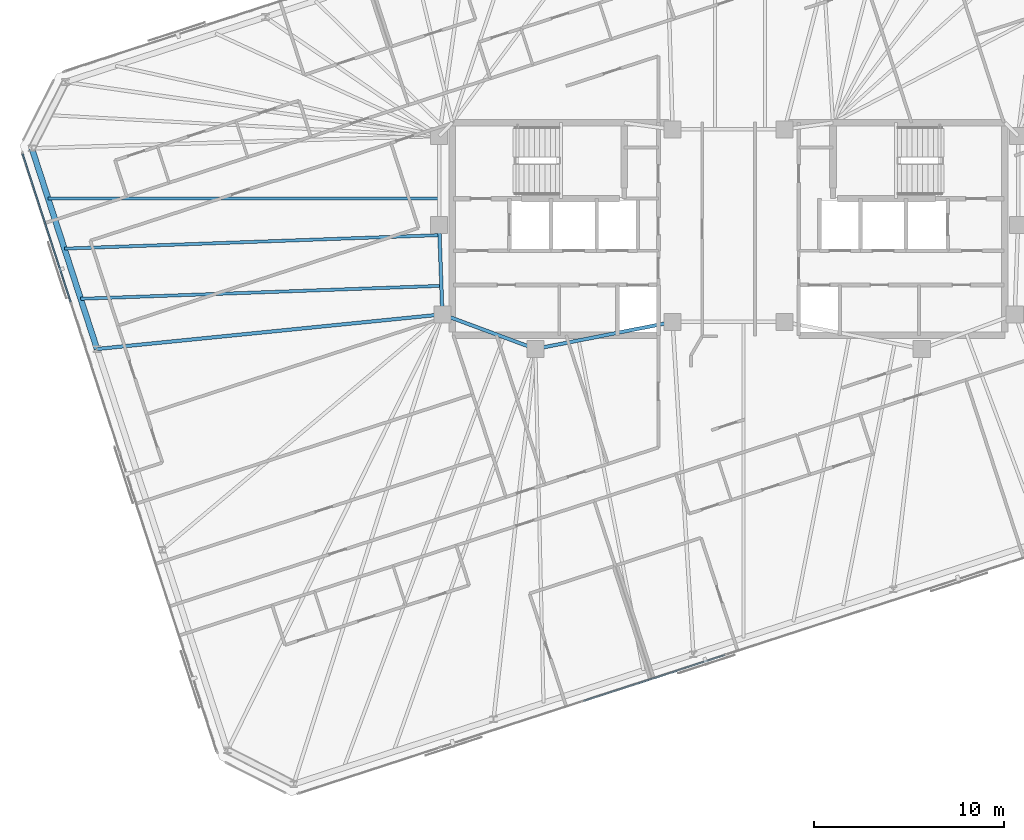
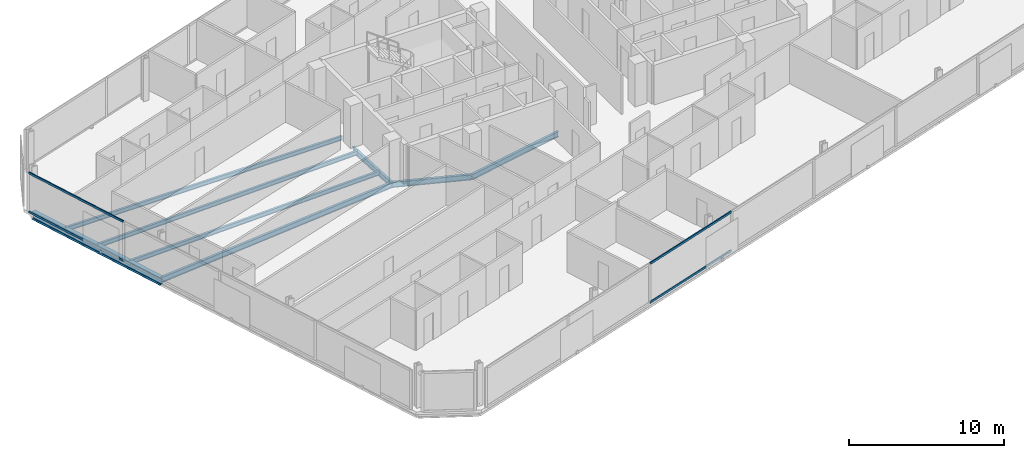
# One storey, part 6 of 20: 8 beams, 4 members, 2 elements without a shape of their own.
"""IFC4 building model written with IfcOpenShell, lengths in metres."""

from ifc_helpers import new_model, si_unit, direction, frame, origin, origin_2d, place, context, subcontext, project, spatial, rectangle, i_section, extrude, material, material_profile, profile_set, type_object, element, aggregate, save


model = new_model("IFC4")

# Units and contexts
model_context = context("Model", 3, precision=1e-05, world=origin(), true_north=direction((0.0, 1.0)))
body_context = subcontext(model_context, "Body", "Model", "MODEL_VIEW")
ifc_project = project(units=[si_unit("LENGTHUNIT", "METRE"), si_unit("AREAUNIT", "SQUARE_METRE"), si_unit("VOLUMEUNIT", "CUBIC_METRE"), si_unit("PLANEANGLEUNIT", "RADIAN"), si_unit("MASSUNIT", "GRAM", prefix="KILO")], contexts=[model_context])

# Site, building, storey
site_placement = place(None, origin())
site = spatial("IfcSite", under=ifc_project, at=site_placement, CompositionType="ELEMENT")
building_placement = place(site_placement, origin())
building = spatial("IfcBuilding", under=site, at=building_placement, Name="Menara Jurai Vektor", CompositionType="ELEMENT")
storey_placement = place(building_placement, frame((0.0, 0.0, 217.60009765625)))
storey = spatial("IfcBuildingStorey", under=building, at=storey_placement, Name="L57", CompositionType="ELEMENT", Elevation=217.60009765625)

# Curtain wall, members
ifc_material_1 = material(Name="Anodised Pale Aluminium & Low-E Double Glazing", Category="aluminium")
curtain_wall_type = type_object("IfcCurtainWallType", Name="CW-BLK4", PredefinedType="NOTDEFINED", material=ifc_material_1)
curtain_wall_1_placement = place(storey_placement, origin())
curtain_wall_1 = element("IfcCurtainWall", 1, at=curtain_wall_1_placement, inside=storey, type_object=curtain_wall_type, Name="Unitised Curtain Wall L57 F01", PredefinedType="NOTDEFINED")
ifc_material_2 = material(Name="Anodised Pale Aluminium Transom", Category="aluminium")
ifc_material_profile_1 = material_profile(ifc_material_2, rectangle(XDim=0.080078125, YDim=0.1650390625, at=origin_2d()), Name="ALU TRN 80x165")
ifc_profile_set_1 = profile_set([ifc_material_profile_1], Name="Anodised Pale Aluminium Transom")
member_type = type_object("IfcMemberType", Name="CW-BLK4-TRN", PredefinedType="USERDEFINED", material=ifc_profile_set_1)
member_1_placement = place(storey_placement, frame((-7.639404296875, -24.86669921875, 0.039794921875), z_axis=(0.951059330237, 0.309008333817, 0.0), x_axis=(-0.309008333817, 0.951059330237, 0.0)))
member_1 = element("IfcMember", 2, at=member_1_placement, type_object=member_type, Name="CW-04 transom 3.1", ObjectType="TRANSOM", PredefinedType="USERDEFINED", context=body_context, shape_type="SweptSolid", body=[
    extrude(rectangle(XDim=0.080078125, YDim=0.1650390625, at=origin_2d()), origin(), (0.0, 0.0, 1.0), 7.8115234375),
])
member_2_placement = place(storey_placement, frame((-7.639404296875, -24.86669921875, 3.0849609375), z_axis=(0.951059330237, 0.309008333817, 0.0), x_axis=(-0.309008333817, 0.951059330237, 0.0)))
member_2 = element("IfcMember", 3, at=member_2_placement, type_object=member_type, Name="CW-04 transom 3.2", ObjectType="TRANSOM", PredefinedType="USERDEFINED", context=body_context, shape_type="SweptSolid", body=[
    extrude(rectangle(XDim=0.080078125, YDim=0.1650390625, at=origin_2d()), origin(), (0.0, 0.0, 1.0), 7.8115234375),
])
aggregate(curtain_wall_1, [member_1, member_2])

curtain_wall_2_placement = place(storey_placement, origin())
curtain_wall_2 = element("IfcCurtainWall", 4, at=curtain_wall_2_placement, inside=storey, type_object=curtain_wall_type, Name="Unitised Curtain Wall L57 F07", PredefinedType="NOTDEFINED")
member_3_placement = place(storey_placement, frame((-37.19384765625, 3.950927734375, 0.039794921875), z_axis=(0.309010577384, -0.951058601278, 0.0), x_axis=(0.951058601278, 0.309010577384, 0.0)))
member_3 = element("IfcMember", 5, at=member_3_placement, type_object=member_type, Name="CW-04 transom 1.1", ObjectType="TRANSOM", PredefinedType="USERDEFINED", context=body_context, shape_type="SweptSolid", body=[
    extrude(rectangle(XDim=0.080078125, YDim=0.1650390625, at=origin_2d()), origin(), (0.0, 0.0, 1.0), 8.18994140625),
])
member_4_placement = place(storey_placement, frame((-37.19384765625, 3.950927734375, 3.0849609375), z_axis=(0.309010577384, -0.951058601278, 0.0), x_axis=(0.951058601278, 0.309010577384, 0.0)))
member_4 = element("IfcMember", 6, at=member_4_placement, type_object=member_type, Name="CW-04 transom 1.2", ObjectType="TRANSOM", PredefinedType="USERDEFINED", context=body_context, shape_type="SweptSolid", body=[
    extrude(rectangle(XDim=0.080078125, YDim=0.1650390625, at=origin_2d()), origin(), (0.0, 0.0, 1.0), 8.18994140625),
])
aggregate(curtain_wall_2, [member_3, member_4])

# Beams
ifc_material_3 = material(Name="Steel S355", Category="steel")
ifc_material_profile_2 = material_profile(ifc_material_3, i_section(OverallWidth=0.18505859375, OverallDepth=0.429931640625, WebThickness=0.010986328125, FlangeThickness=0.01806640625, at=origin_2d()), Name="PG 430x185x76")
ifc_profile_set_2 = profile_set([ifc_material_profile_2], Name="Steel S355")
beam_type_1 = type_object("IfcBeamType", Name="STR-BM-430", PredefinedType="BEAM", material=ifc_profile_set_2)
beam_1_placement = place(storey_placement, frame((-15.080078125, -4.5, -0.440185546875), z_axis=(-0.035977314146, 0.999352606874, 0.0), x_axis=(-0.999352606874, -0.035977314146, 0.0)))
element("IfcBeam", 7, at=beam_1_placement, inside=storey, type_object=beam_type_1, Name="Core Ring Header Girder L57-CHW-W2", PredefinedType="BEAM", context=body_context, shape_type="SweptSolid", body=[
    extrude(i_section(OverallWidth=0.18505859375, OverallDepth=0.429931640625, WebThickness=0.010986328125, FlangeThickness=0.01806640625, at=origin_2d()), origin(), (0.0, 0.0, 1.0), 4.72314453125),
])
beam_2_placement = place(storey_placement, frame((-15.080078125, -4.5, -0.440185546875), z_axis=(0.937424400887, -0.348188874925, 0.0), x_axis=(0.348188874925, 0.937424400887, 0.0)))
element("IfcBeam", 8, at=beam_2_placement, inside=storey, type_object=beam_type_1, Name="Core Ring Header Girder L57-CHW-S1", PredefinedType="BEAM", context=body_context, shape_type="SweptSolid", body=[
    extrude(i_section(OverallWidth=0.18505859375, OverallDepth=0.429931640625, WebThickness=0.010986328125, FlangeThickness=0.01806640625, at=origin_2d()), origin(), (0.0, 0.0, 1.0), 5.227294921875),
])
beam_3_placement = place(storey_placement, frame((-10.179931640625, -6.320068359375, -0.440185546875), z_axis=(0.981249044334, 0.192744164614, 0.0), x_axis=(-0.192744164614, 0.981249044334, 0.0)))
element("IfcBeam", 9, at=beam_3_placement, inside=storey, type_object=beam_type_1, Name="Core Ring Header Girder L57-CHW-S2", PredefinedType="BEAM", context=body_context, shape_type="SweptSolid", body=[
    extrude(i_section(OverallWidth=0.18505859375, OverallDepth=0.429931640625, WebThickness=0.010986328125, FlangeThickness=0.01806640625, at=origin_2d()), origin(), (0.0, 0.0, 1.0), 7.3681640625),
])
beam_4_placement = place(storey_placement, frame((-33.277587890625, -6.322509765625, -0.440185546875), z_axis=(0.995022243563, 0.099653072276, 0.0), x_axis=(-0.099653072276, 0.995022243563, 0.0)))
element("IfcBeam", 10, at=beam_4_placement, inside=storey, type_object=beam_type_1, Name="Radial Floor Girder L57-W2", PredefinedType="BEAM", context=body_context, shape_type="SweptSolid", body=[
    extrude(i_section(OverallWidth=0.18505859375, OverallDepth=0.429931640625, WebThickness=0.010986328125, FlangeThickness=0.01806640625, at=origin_2d()), origin(), (0.0, 0.0, 1.0), 18.28857421875),
])
ifc_material_profile_3 = material_profile(ifc_material_3, i_section(OverallWidth=0.1650390625, OverallDepth=0.330078125, WebThickness=0.009033203125, FlangeThickness=0.013916015625, at=origin_2d()), Name="PG 330x165x46")
ifc_profile_set_3 = profile_set([ifc_material_profile_3], Name="Steel S355")
beam_type_2 = type_object("IfcBeamType", Name="STR-JS-330", PredefinedType="JOIST", material=ifc_profile_set_3)
beam_5_placement = place(storey_placement, frame((-35.8544921875, 1.6083984375, -0.39013671875), z_axis=(1.0, 0.0, 0.0), x_axis=(0.0, 1.0, 0.0)))
element("IfcBeam", 11, at=beam_5_placement, inside=storey, type_object=beam_type_2, Name="Radial Secondary Floor Joist L57-JS28", PredefinedType="JOIST", context=body_context, shape_type="SweptSolid", body=[
    extrude(i_section(OverallWidth=0.1650390625, OverallDepth=0.330078125, WebThickness=0.009033203125, FlangeThickness=0.013916015625, at=origin_2d()), origin(), (0.0, 0.0, 1.0), 20.6044921875),
])
beam_6_placement = place(storey_placement, frame((-34.99560546875, -1.03515625, -0.39013671875), z_axis=(0.999351957959, 0.035995334734, 0.0), x_axis=(-0.035995334734, 0.999351957959, 0.0)))
element("IfcBeam", 12, at=beam_6_placement, inside=storey, type_object=beam_type_2, Name="Radial Secondary Floor Joist L57-JS29", PredefinedType="JOIST", context=body_context, shape_type="SweptSolid", body=[
    extrude(i_section(OverallWidth=0.1650390625, OverallDepth=0.330078125, WebThickness=0.009033203125, FlangeThickness=0.013916015625, at=origin_2d()), origin(), (0.0, 0.0, 1.0), 19.77783203125),
])
beam_7_placement = place(storey_placement, frame((-34.136474609375, -3.6787109375, -0.39013671875), z_axis=(0.999352161922, 0.035989671603, 0.0), x_axis=(-0.035989671603, 0.999352161922, 0.0)))
element("IfcBeam", 13, at=beam_7_placement, inside=storey, type_object=beam_type_2, Name="Radial Secondary Floor Joist L57-JS30", PredefinedType="JOIST", context=body_context, shape_type="SweptSolid", body=[
    extrude(i_section(OverallWidth=0.1650390625, OverallDepth=0.330078125, WebThickness=0.009033203125, FlangeThickness=0.013916015625, at=origin_2d()), origin(), (0.0, 0.0, 1.0), 19.014404296875),
])
ifc_material_profile_4 = material_profile(ifc_material_3, i_section(OverallWidth=0.306884765625, OverallDepth=0.6201171875, WebThickness=0.013916015625, FlangeThickness=0.02392578125, FilletRadius=0.01708984375, at=origin_2d()), Name="UKB 610x305x179")
ifc_profile_set_4 = profile_set([ifc_material_profile_4], Name="Steel S355")
beam_type_3 = type_object("IfcBeamType", Name="STR-SP-610", PredefinedType="SPANDREL", material=ifc_profile_set_4)
beam_8_placement = place(storey_placement, frame((-36.71337890625, 4.251953125, -0.53515625), z_axis=(0.309012092614, -0.95105810896, 0.0), x_axis=(0.95105810896, 0.309012092614, 0.0)))
element("IfcBeam", 14, at=beam_8_placement, inside=storey, type_object=beam_type_3, Name="Exoskeleton Spandrel Beam L57-17", PredefinedType="SPANDREL", context=body_context, shape_type="SweptSolid", body=[
    extrude(i_section(OverallWidth=0.306884765625, OverallDepth=0.6201171875, WebThickness=0.013916015625, FlangeThickness=0.02392578125, FilletRadius=0.01708984375, at=origin_2d()), origin(), (0.0, 0.0, 1.0), 11.11865234375),
])

save(model, "model.ifc")
